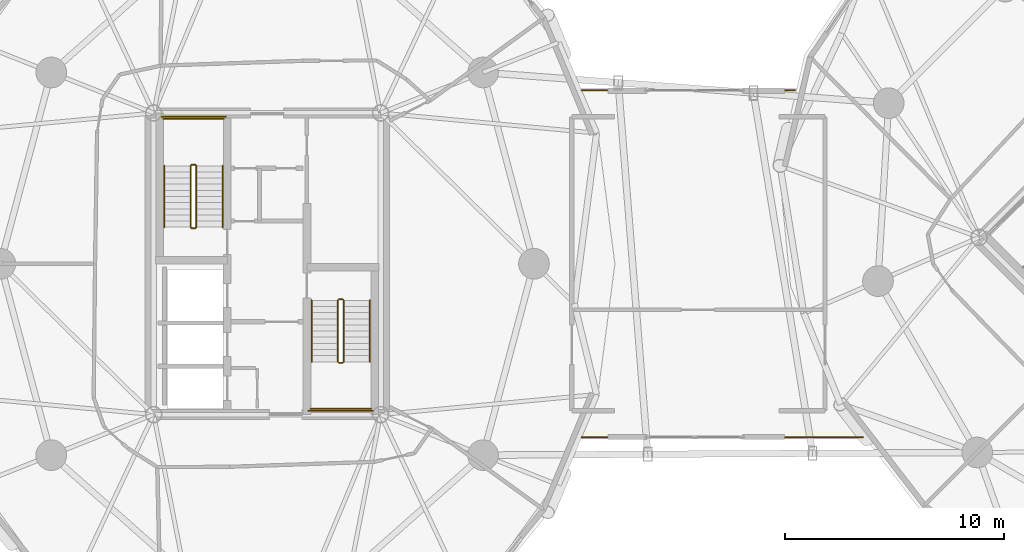
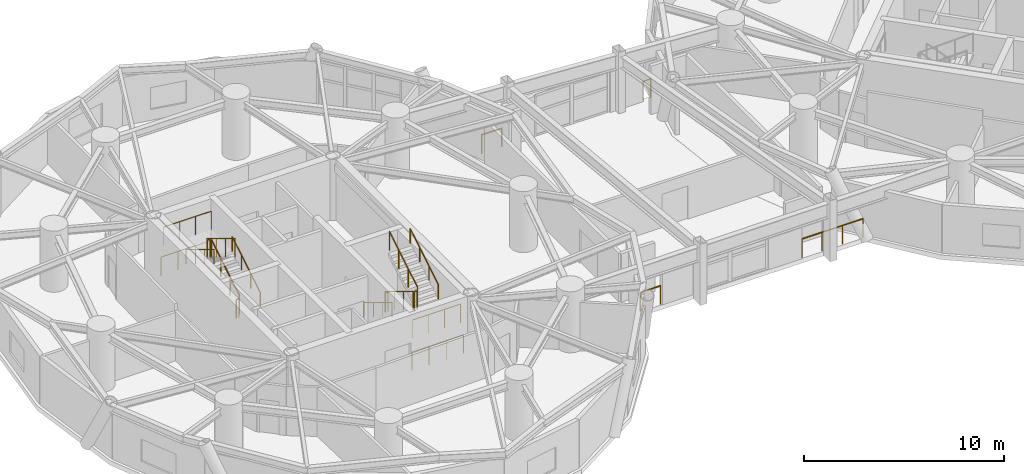
# One storey, part 18 of 19: 20 railings.
"""IFC4 building model written with IfcOpenShell, lengths in metres."""

from ifc_helpers import new_model, si_unit, direction, frame, origin, origin_2d, place, context, subcontext, project, spatial, circle, extrude, material, type_object, element, save


model = new_model("IFC4")

# Units and contexts
model_context = context("Model", 3, precision=1e-05, world=origin(), true_north=direction((0.0, 1.0)))
body_context = subcontext(model_context, "Body", "Model", "MODEL_VIEW")
ifc_project = project(units=[si_unit("LENGTHUNIT", "METRE"), si_unit("AREAUNIT", "SQUARE_METRE"), si_unit("VOLUMEUNIT", "CUBIC_METRE"), si_unit("PLANEANGLEUNIT", "RADIAN"), si_unit("MASSUNIT", "GRAM", prefix="KILO")], contexts=[model_context])

# Site, building, storey
site_placement = place(None, origin())
site = spatial("IfcSite", under=ifc_project, at=site_placement, CompositionType="ELEMENT")
building_placement = place(site_placement, origin())
building = spatial("IfcBuilding", under=site, at=building_placement, Name="Cununo Teusaquillo Station Towers", CompositionType="ELEMENT")
storey_placement = place(building_placement, frame((0.0, 0.0, 136.60009765625)))
storey = spatial("IfcBuildingStorey", under=building, at=storey_placement, Name="L43", CompositionType="ELEMENT", Elevation=136.60009765625)

# Railings
ifc_material_1 = material(Name="Steel EN 10025-2 S355J2", Category="steel")
railing_type_1 = type_object("IfcRailingType", Name="RL-INT-GUARD", PredefinedType="GUARDRAIL", material=ifc_material_1)
railing_1_placement = place(storey_placement, frame((13.27001953125, 26.169921875, 0.1689453125)))
element("IfcRailing", 1, at=railing_1_placement, inside=storey, type_object=railing_type_1, Name="L43 ST-T1-1 stair guard 1", PredefinedType="GUARDRAIL", context=body_context, shape_type="SweptSolid", body=[
    extrude(circle(Radius=0.02392578125, at=origin_2d()), frame((0.0, 0.0, 1.1259765625), z_axis=(0.0, 0.856020824003, 0.516941339877), x_axis=(-1.0, 0.0, 0.0)), (0.0, 0.0, 1.0), 3.27099609375),
    extrude(circle(Radius=0.02099609375, at=origin_2d()), origin(), (0.0, 0.0, 1.0), 1.101806640625),
    extrude(circle(Radius=0.02099609375, at=origin_2d()), frame((0.0, 0.933349609375, 0.563720703125)), (0.0, 0.0, 1.0), 1.101806640625),
    extrude(circle(Radius=0.02099609375, at=origin_2d()), frame((0.0, 1.86669921875, 1.127197265625)), (0.0, 0.0, 1.0), 1.101806640625),
    extrude(circle(Radius=0.02099609375, at=origin_2d()), frame((0.0, 2.800048828125, 1.69091796875)), (0.0, 0.0, 1.0), 1.101806640625),
])
railing_2_placement = place(storey_placement, frame((13.219970703125, 29.02001953125, 1.85986328125)))
element("IfcRailing", 2, at=railing_2_placement, inside=storey, type_object=railing_type_1, Name="L43 ST-T1-1 stair guard 2", PredefinedType="GUARDRAIL", context=body_context, shape_type="SweptSolid", body=[
    extrude(circle(Radius=0.02392578125, at=origin_2d()), frame((0.0, 0.0, 1.1259765625), z_axis=(-1.0, 0.0, 0.0), x_axis=(0.0, -1.0, 0.0)), (0.0, 0.0, 1.0), 0.159912109375),
    extrude(circle(Radius=0.02099609375, at=origin_2d()), origin(), (0.0, 0.0, 1.0), 1.101806640625),
    extrude(circle(Radius=0.02099609375, at=origin_2d()), frame((-0.159912109375, 0.0, 0.0)), (0.0, 0.0, 1.0), 1.101806640625),
])
railing_3_placement = place(storey_placement, frame((14.52001953125, 31.110107421875, 1.85986328125)))
element("IfcRailing", 3, at=railing_3_placement, inside=storey, type_object=railing_type_1, Name="L43 ST-T1-1 stair guard 3", PredefinedType="GUARDRAIL", context=body_context, shape_type="SweptSolid", body=[
    extrude(circle(Radius=0.02392578125, at=origin_2d()), frame((0.0, 0.0, 1.1259765625), z_axis=(-1.0, 0.0, 0.0), x_axis=(0.0, -1.0, 0.0)), (0.0, 0.0, 1.0), 2.760009765625),
    extrude(circle(Radius=0.02099609375, at=origin_2d()), origin(), (0.0, 0.0, 1.0), 1.101806640625),
    extrude(circle(Radius=0.02099609375, at=origin_2d()), frame((-0.919921875, 0.0, 0.0)), (0.0, 0.0, 1.0), 1.101806640625),
    extrude(circle(Radius=0.02099609375, at=origin_2d()), frame((-1.840087890625, 0.0, 0.0)), (0.0, 0.0, 1.0), 1.101806640625),
    extrude(circle(Radius=0.02099609375, at=origin_2d()), frame((-2.760009765625, 0.0, 0.0)), (0.0, 0.0, 1.0), 1.101806640625),
])
railing_4_placement = place(storey_placement, frame((13.010009765625, 28.969970703125, 2.029052734375)))
element("IfcRailing", 4, at=railing_4_placement, inside=storey, type_object=railing_type_1, Name="L43 ST-T1-1 stair guard 4", PredefinedType="GUARDRAIL", context=body_context, shape_type="SweptSolid", body=[
    extrude(circle(Radius=0.02392578125, at=origin_2d()), frame((0.0, 0.0, 1.1259765625), z_axis=(0.0, -0.856020824003, 0.516941339877), x_axis=(1.0, 0.0, 0.0)), (0.0, 0.0, 1.0), 3.27099609375),
    extrude(circle(Radius=0.02099609375, at=origin_2d()), origin(), (0.0, 0.0, 1.0), 1.101806640625),
    extrude(circle(Radius=0.02099609375, at=origin_2d()), frame((0.0, -0.933349609375, 0.563720703125)), (0.0, 0.0, 1.0), 1.101806640625),
    extrude(circle(Radius=0.02099609375, at=origin_2d()), frame((0.0, -1.86669921875, 1.127197265625)), (0.0, 0.0, 1.0), 1.101806640625),
    extrude(circle(Radius=0.02099609375, at=origin_2d()), frame((0.0, -2.800048828125, 1.69091796875)), (0.0, 0.0, 1.0), 1.101806640625),
])
railing_5_placement = place(storey_placement, frame((13.219970703125, 26.1201171875, 0.0)))
element("IfcRailing", 5, at=railing_5_placement, inside=storey, type_object=railing_type_1, Name="L43 ST-T1-1 stair guard 5", PredefinedType="GUARDRAIL", context=body_context, shape_type="SweptSolid", body=[
    extrude(circle(Radius=0.02392578125, at=origin_2d()), frame((0.0, 0.0, 1.1259765625), z_axis=(-1.0, 0.0, 0.0), x_axis=(0.0, -1.0, 0.0)), (0.0, 0.0, 1.0), 0.159912109375),
    extrude(circle(Radius=0.02099609375, at=origin_2d()), origin(), (0.0, 0.0, 1.0), 1.101806640625),
    extrude(circle(Radius=0.02099609375, at=origin_2d()), frame((-0.159912109375, 0.0, 0.0)), (0.0, 0.0, 1.0), 1.101806640625),
])
railing_6_placement = place(storey_placement, frame((14.6201171875, 31.2099609375, 0.0)))
element("IfcRailing", 6, at=railing_6_placement, inside=storey, type_object=railing_type_1, Name="L43 ST-T1-1 stair guard 6", PredefinedType="GUARDRAIL", context=body_context, shape_type="SweptSolid", body=[
    extrude(circle(Radius=0.02392578125, at=origin_2d()), frame((0.0, 0.0, 1.1259765625), z_axis=(-1.0, 0.0, 0.0), x_axis=(0.0, -1.0, 0.0)), (0.0, 0.0, 1.0), 2.960205078125),
    extrude(circle(Radius=0.02099609375, at=origin_2d()), origin(), (0.0, 0.0, 1.0), 1.101806640625),
    extrude(circle(Radius=0.02099609375, at=origin_2d()), frame((-0.98681640625, 0.0, 0.0)), (0.0, 0.0, 1.0), 1.101806640625),
    extrude(circle(Radius=0.02099609375, at=origin_2d()), frame((-1.973388671875, 0.0, 0.0)), (0.0, 0.0, 1.0), 1.101806640625),
    extrude(circle(Radius=0.02099609375, at=origin_2d()), frame((-2.960205078125, 0.0, 0.0)), (0.0, 0.0, 1.0), 1.101806640625),
])
railing_7_placement = place(storey_placement, frame((19.72998046875, 22.830078125, 0.1689453125)))
element("IfcRailing", 7, at=railing_7_placement, inside=storey, type_object=railing_type_1, Name="L43 ST-T1-2 stair guard 1", PredefinedType="GUARDRAIL", context=body_context, shape_type="SweptSolid", body=[
    extrude(circle(Radius=0.02392578125, at=origin_2d()), frame((0.0, 0.0, 1.1259765625), z_axis=(0.0, -0.856020824003, 0.516941339877), x_axis=(1.0, 0.0, 0.0)), (0.0, 0.0, 1.0), 3.27099609375),
    extrude(circle(Radius=0.02099609375, at=origin_2d()), origin(), (0.0, 0.0, 1.0), 1.101806640625),
    extrude(circle(Radius=0.02099609375, at=origin_2d()), frame((0.0, -0.933349609375, 0.563720703125)), (0.0, 0.0, 1.0), 1.101806640625),
    extrude(circle(Radius=0.02099609375, at=origin_2d()), frame((0.0, -1.86669921875, 1.127197265625)), (0.0, 0.0, 1.0), 1.101806640625),
    extrude(circle(Radius=0.02099609375, at=origin_2d()), frame((0.0, -2.800048828125, 1.69091796875)), (0.0, 0.0, 1.0), 1.101806640625),
])
railing_8_placement = place(storey_placement, frame((19.780029296875, 19.97998046875, 1.85986328125)))
element("IfcRailing", 8, at=railing_8_placement, inside=storey, type_object=railing_type_1, Name="L43 ST-T1-2 stair guard 2", PredefinedType="GUARDRAIL", context=body_context, shape_type="SweptSolid", body=[
    extrude(circle(Radius=0.02392578125, at=origin_2d()), frame((0.0, 0.0, 1.1259765625), z_axis=(1.0, 0.0, 0.0), x_axis=(0.0, 1.0, 0.0)), (0.0, 0.0, 1.0), 0.159912109375),
    extrude(circle(Radius=0.02099609375, at=origin_2d()), origin(), (0.0, 0.0, 1.0), 1.101806640625),
    extrude(circle(Radius=0.02099609375, at=origin_2d()), frame((0.159912109375, 0.0, 0.0)), (0.0, 0.0, 1.0), 1.101806640625),
])
railing_9_placement = place(storey_placement, frame((18.47998046875, 17.889892578125, 1.85986328125)))
element("IfcRailing", 9, at=railing_9_placement, inside=storey, type_object=railing_type_1, Name="L43 ST-T1-2 stair guard 3", PredefinedType="GUARDRAIL", context=body_context, shape_type="SweptSolid", body=[
    extrude(circle(Radius=0.02392578125, at=origin_2d()), frame((0.0, 0.0, 1.1259765625), z_axis=(1.0, 0.0, 0.0), x_axis=(0.0, 1.0, 0.0)), (0.0, 0.0, 1.0), 2.760009765625),
    extrude(circle(Radius=0.02099609375, at=origin_2d()), origin(), (0.0, 0.0, 1.0), 1.101806640625),
    extrude(circle(Radius=0.02099609375, at=origin_2d()), frame((0.919921875, 0.0, 0.0)), (0.0, 0.0, 1.0), 1.101806640625),
    extrude(circle(Radius=0.02099609375, at=origin_2d()), frame((1.840087890625, 0.0, 0.0)), (0.0, 0.0, 1.0), 1.101806640625),
    extrude(circle(Radius=0.02099609375, at=origin_2d()), frame((2.760009765625, 0.0, 0.0)), (0.0, 0.0, 1.0), 1.101806640625),
])
railing_10_placement = place(storey_placement, frame((19.989990234375, 20.030029296875, 2.029052734375)))
element("IfcRailing", 10, at=railing_10_placement, inside=storey, type_object=railing_type_1, Name="L43 ST-T1-2 stair guard 4", PredefinedType="GUARDRAIL", context=body_context, shape_type="SweptSolid", body=[
    extrude(circle(Radius=0.02392578125, at=origin_2d()), frame((0.0, 0.0, 1.1259765625), z_axis=(0.0, 0.856020824003, 0.516941339877), x_axis=(-1.0, 0.0, 0.0)), (0.0, 0.0, 1.0), 3.27099609375),
    extrude(circle(Radius=0.02099609375, at=origin_2d()), origin(), (0.0, 0.0, 1.0), 1.101806640625),
    extrude(circle(Radius=0.02099609375, at=origin_2d()), frame((0.0, 0.933349609375, 0.563720703125)), (0.0, 0.0, 1.0), 1.101806640625),
    extrude(circle(Radius=0.02099609375, at=origin_2d()), frame((0.0, 1.86669921875, 1.127197265625)), (0.0, 0.0, 1.0), 1.101806640625),
    extrude(circle(Radius=0.02099609375, at=origin_2d()), frame((0.0, 2.800048828125, 1.69091796875)), (0.0, 0.0, 1.0), 1.101806640625),
])
railing_11_placement = place(storey_placement, frame((19.780029296875, 22.8798828125, 0.0)))
element("IfcRailing", 11, at=railing_11_placement, inside=storey, type_object=railing_type_1, Name="L43 ST-T1-2 stair guard 5", PredefinedType="GUARDRAIL", context=body_context, shape_type="SweptSolid", body=[
    extrude(circle(Radius=0.02392578125, at=origin_2d()), frame((0.0, 0.0, 1.1259765625), z_axis=(1.0, 0.0, 0.0), x_axis=(0.0, 1.0, 0.0)), (0.0, 0.0, 1.0), 0.159912109375),
    extrude(circle(Radius=0.02099609375, at=origin_2d()), origin(), (0.0, 0.0, 1.0), 1.101806640625),
    extrude(circle(Radius=0.02099609375, at=origin_2d()), frame((0.159912109375, 0.0, 0.0)), (0.0, 0.0, 1.0), 1.101806640625),
])
railing_12_placement = place(storey_placement, frame((18.3798828125, 17.7900390625, 0.0)))
element("IfcRailing", 12, at=railing_12_placement, inside=storey, type_object=railing_type_1, Name="L43 ST-T1-2 stair guard 6", PredefinedType="GUARDRAIL", context=body_context, shape_type="SweptSolid", body=[
    extrude(circle(Radius=0.02392578125, at=origin_2d()), frame((0.0, 0.0, 1.1259765625), z_axis=(1.0, 0.0, 0.0), x_axis=(0.0, 1.0, 0.0)), (0.0, 0.0, 1.0), 2.960205078125),
    extrude(circle(Radius=0.02099609375, at=origin_2d()), origin(), (0.0, 0.0, 1.0), 1.101806640625),
    extrude(circle(Radius=0.02099609375, at=origin_2d()), frame((0.98681640625, 0.0, 0.0)), (0.0, 0.0, 1.0), 1.101806640625),
    extrude(circle(Radius=0.02099609375, at=origin_2d()), frame((1.973388671875, 0.0, 0.0)), (0.0, 0.0, 1.0), 1.101806640625),
    extrude(circle(Radius=0.02099609375, at=origin_2d()), frame((2.960205078125, 0.0, 0.0)), (0.0, 0.0, 1.0), 1.101806640625),
])
railing_13_placement = place(storey_placement, frame((30.840087890625, 32.419921875, 0.0)))
element("IfcRailing", 13, at=railing_13_placement, inside=storey, type_object=railing_type_1, Name="L43 Mid-Bridge Deck Edge Guardrail NW", PredefinedType="GUARDRAIL", context=body_context, shape_type="SweptSolid", body=[
    extrude(circle(Radius=0.02392578125, at=origin_2d()), frame((0.0, 0.0, 1.1259765625), z_axis=(1.0, 0.0, 0.0), x_axis=(0.0, 1.0, 0.0)), (0.0, 0.0, 1.0), 1.169921875),
    extrude(circle(Radius=0.02099609375, at=origin_2d()), origin(), (0.0, 0.0, 1.0), 1.101806640625),
    extrude(circle(Radius=0.02099609375, at=origin_2d()), frame((1.169921875, 0.0, 0.0)), (0.0, 0.0, 1.0), 1.101806640625),
])
railing_14_placement = place(storey_placement, frame((40.139892578125, 32.419921875, 0.0)))
element("IfcRailing", 14, at=railing_14_placement, inside=storey, type_object=railing_type_1, Name="L43 Mid-Bridge Deck Edge Guardrail NE", PredefinedType="GUARDRAIL", context=body_context, shape_type="SweptSolid", body=[
    extrude(circle(Radius=0.02392578125, at=origin_2d()), frame((0.0, 0.0, 1.1259765625), z_axis=(1.0, 0.0, 0.0), x_axis=(0.0, 1.0, 0.0)), (0.0, 0.0, 1.0), 0.440185546875),
    extrude(circle(Radius=0.02099609375, at=origin_2d()), origin(), (0.0, 0.0, 1.0), 1.101806640625),
    extrude(circle(Radius=0.02099609375, at=origin_2d()), frame((0.440185546875, 0.0, 0.0)), (0.0, 0.0, 1.0), 1.101806640625),
])
railing_15_placement = place(storey_placement, frame((30.840087890625, 16.580078125, 0.0)))
element("IfcRailing", 15, at=railing_15_placement, inside=storey, type_object=railing_type_1, Name="L43 Mid-Bridge Deck Edge Guardrail SW", PredefinedType="GUARDRAIL", context=body_context, shape_type="SweptSolid", body=[
    extrude(circle(Radius=0.02392578125, at=origin_2d()), frame((0.0, 0.0, 1.1259765625), z_axis=(1.0, 0.0, 0.0), x_axis=(0.0, 1.0, 0.0)), (0.0, 0.0, 1.0), 1.169921875),
    extrude(circle(Radius=0.02099609375, at=origin_2d()), origin(), (0.0, 0.0, 1.0), 1.101806640625),
    extrude(circle(Radius=0.02099609375, at=origin_2d()), frame((1.169921875, 0.0, 0.0)), (0.0, 0.0, 1.0), 1.101806640625),
])
railing_16_placement = place(storey_placement, frame((40.139892578125, 16.580078125, 0.0)))
element("IfcRailing", 16, at=railing_16_placement, inside=storey, type_object=railing_type_1, Name="L43 Mid-Bridge Deck Edge Guardrail SE", PredefinedType="GUARDRAIL", context=body_context, shape_type="SweptSolid", body=[
    extrude(circle(Radius=0.02392578125, at=origin_2d()), frame((0.0, 0.0, 1.1259765625), z_axis=(1.0, 0.0, 0.0), x_axis=(0.0, 1.0, 0.0)), (0.0, 0.0, 1.0), 3.5400390625),
    extrude(circle(Radius=0.02099609375, at=origin_2d()), origin(), (0.0, 0.0, 1.0), 1.101806640625),
    extrude(circle(Radius=0.02099609375, at=origin_2d()), frame((1.179931640625, 0.0, 0.0)), (0.0, 0.0, 1.0), 1.101806640625),
    extrude(circle(Radius=0.02099609375, at=origin_2d()), frame((2.360107421875, 0.0, 0.0)), (0.0, 0.0, 1.0), 1.101806640625),
    extrude(circle(Radius=0.02099609375, at=origin_2d()), frame((3.5400390625, 0.0, 0.0)), (0.0, 0.0, 1.0), 1.101806640625),
])
ifc_material_2 = material(Name="Steel EN 10025-2 S355J2", Category="steel")
railing_type_2 = type_object("IfcRailingType", Name="RL-INT-HRAIL", PredefinedType="HANDRAIL", material=ifc_material_2)
railing_17_placement = place(storey_placement, frame((14.469970703125, 26.169921875, 0.1689453125)))
element("IfcRailing", 17, at=railing_17_placement, inside=storey, type_object=railing_type_2, Name="L43 ST-T1-1 stair handrail 1", PredefinedType="HANDRAIL", context=body_context, shape_type="SweptSolid", body=[
    extrude(circle(Radius=0.02392578125, at=origin_2d()), frame((0.0, 0.0, 0.8759765625), z_axis=(0.0, 0.856020824003, 0.516941339877), x_axis=(-1.0, 0.0, 0.0)), (0.0, 0.0, 1.0), 3.27099609375),
    extrude(circle(Radius=0.02099609375, at=origin_2d()), origin(), (0.0, 0.0, 1.0), 0.851806640625),
    extrude(circle(Radius=0.02099609375, at=origin_2d()), frame((0.0, 0.933349609375, 0.563720703125)), (0.0, 0.0, 1.0), 0.851806640625),
    extrude(circle(Radius=0.02099609375, at=origin_2d()), frame((0.0, 1.86669921875, 1.127197265625)), (0.0, 0.0, 1.0), 0.851806640625),
    extrude(circle(Radius=0.02099609375, at=origin_2d()), frame((0.0, 2.800048828125, 1.69091796875)), (0.0, 0.0, 1.0), 0.851806640625),
])
for number, where, name in (
    (18, (11.81005859375, 28.969970703125, 2.029052734375), "L43 ST-T1-1 stair handrail 2"),
    (19, (18.530029296875, 22.830078125, 0.1689453125), "L43 ST-T1-2 stair handrail 1"),
):
    element("IfcRailing", number, at=place(storey_placement, frame(where)), inside=storey, type_object=railing_type_2, Name=name, PredefinedType="HANDRAIL", context=body_context, shape_type="SweptSolid", body=[
        extrude(circle(Radius=0.02392578125, at=origin_2d()), frame((0.0, 0.0, 0.8759765625), z_axis=(0.0, -0.856020824003, 0.516941339877), x_axis=(1.0, 0.0, 0.0)), (0.0, 0.0, 1.0), 3.27099609375),
        extrude(circle(Radius=0.02099609375, at=origin_2d()), origin(), (0.0, 0.0, 1.0), 0.851806640625),
        extrude(circle(Radius=0.02099609375, at=origin_2d()), frame((0.0, -0.933349609375, 0.563720703125)), (0.0, 0.0, 1.0), 0.851806640625),
        extrude(circle(Radius=0.02099609375, at=origin_2d()), frame((0.0, -1.86669921875, 1.127197265625)), (0.0, 0.0, 1.0), 0.851806640625),
        extrude(circle(Radius=0.02099609375, at=origin_2d()), frame((0.0, -2.800048828125, 1.69091796875)), (0.0, 0.0, 1.0), 0.851806640625),
    ])
railing_18_placement = place(storey_placement, frame((21.18994140625, 20.030029296875, 2.029052734375)))
element("IfcRailing", 20, at=railing_18_placement, inside=storey, type_object=railing_type_2, Name="L43 ST-T1-2 stair handrail 2", PredefinedType="HANDRAIL", context=body_context, shape_type="SweptSolid", body=[
    extrude(circle(Radius=0.02392578125, at=origin_2d()), frame((0.0, 0.0, 0.8759765625), z_axis=(0.0, 0.856020824003, 0.516941339877), x_axis=(-1.0, 0.0, 0.0)), (0.0, 0.0, 1.0), 3.27099609375),
    extrude(circle(Radius=0.02099609375, at=origin_2d()), origin(), (0.0, 0.0, 1.0), 0.851806640625),
    extrude(circle(Radius=0.02099609375, at=origin_2d()), frame((0.0, 0.933349609375, 0.563720703125)), (0.0, 0.0, 1.0), 0.851806640625),
    extrude(circle(Radius=0.02099609375, at=origin_2d()), frame((0.0, 1.86669921875, 1.127197265625)), (0.0, 0.0, 1.0), 0.851806640625),
    extrude(circle(Radius=0.02099609375, at=origin_2d()), frame((0.0, 2.800048828125, 1.69091796875)), (0.0, 0.0, 1.0), 0.851806640625),
])

save(model, "model.ifc")
